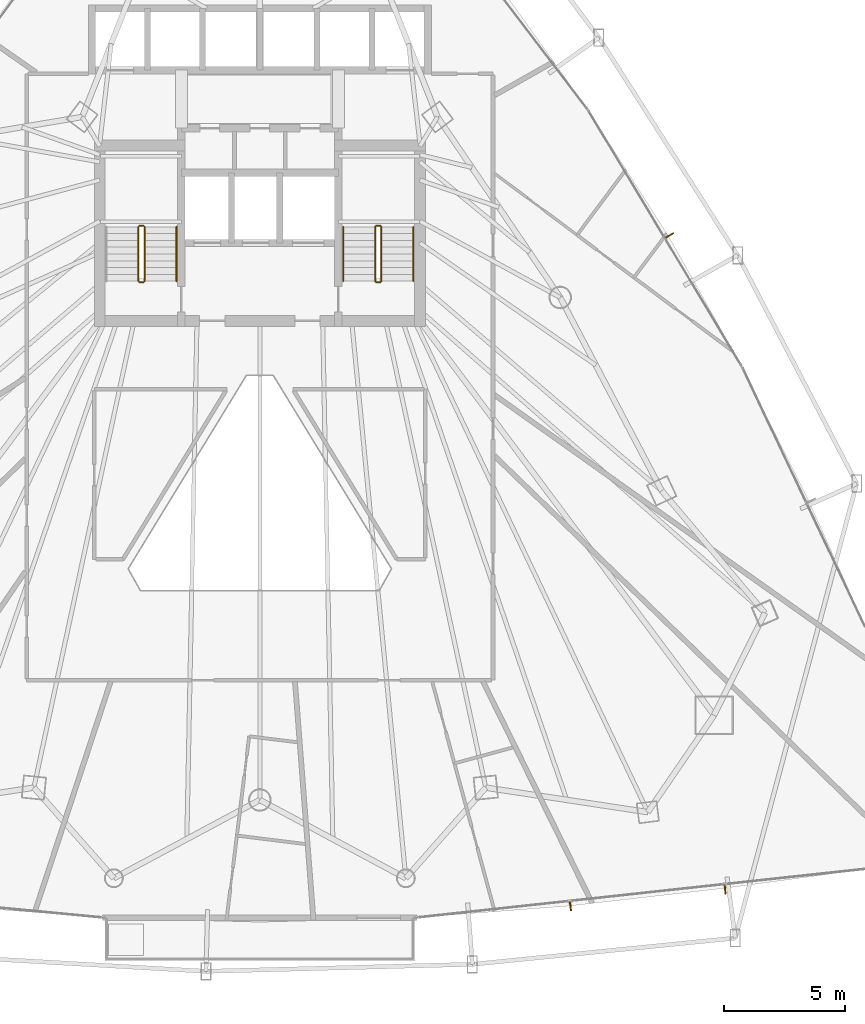
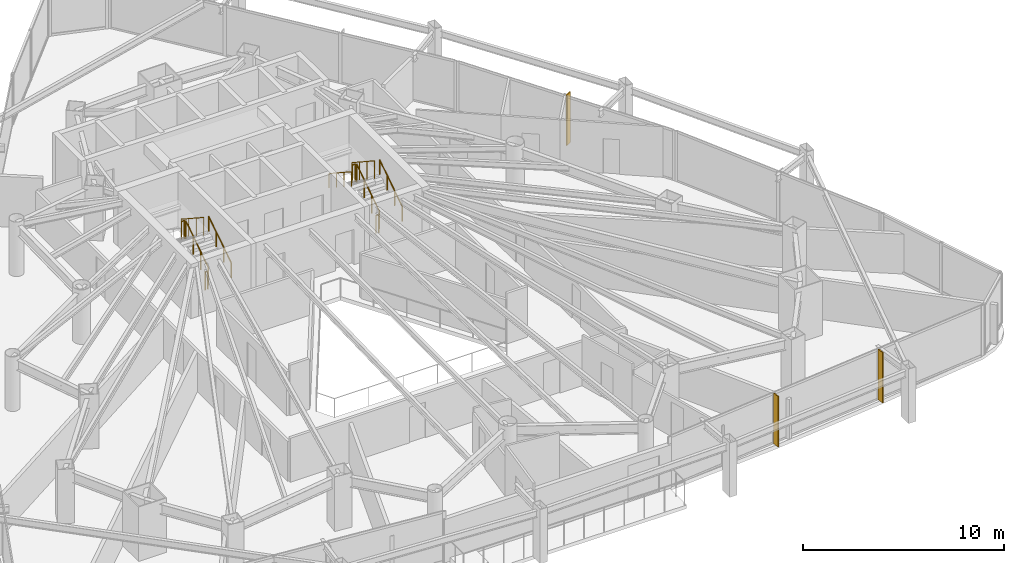
# One storey, part 33 of 34: 11 railings, 3 shading devices.
"""IFC4 building model written with IfcOpenShell, lengths in metres."""

import ifcopenshell
import ifcopenshell.guid

model = None  # the IFC model being written
_history = None  # IfcOwnerHistory: only IFC2X3 demands one
_inside = {}  # id of a spatial element -> (the spatial element, [elements in it])
_under = {}  # id of a project, library or spatial element -> (it, [spatial elements below it])
_declared = {}  # id of a project -> (the project, [libraries it declares])
_typed = {}  # id of a type object -> (the type object, [elements of that type])
_made_of = {}  # id of a material, layer set ... -> (it, [elements and type objects made of it])


def new_model(schema):
    """Start an empty IFC model of exactly this schema.

    Asked for "IFC4X3", IfcOpenShell would pick the latest addendum, in which some entities
    have other attributes; the version numbers below select the first issue.
    IFC2X3 requires an IfcOwnerHistory on every rooted entity: one is made here for all.
    """
    global model, _history
    if schema == "IFC4X3":
        model = ifcopenshell.file(schema_version=(4, 3, 0, 0))
    else:
        model = ifcopenshell.file(schema=schema)
    _inside.clear()
    _under.clear()
    _declared.clear()
    _typed.clear()
    _made_of.clear()
    _history = None
    if model.schema == "IFC2X3":
        org = make("IfcOrganization", Name="unknown")
        user = make(
            "IfcPersonAndOrganization",
            ThePerson=make("IfcPerson", FamilyName="unknown"),
            TheOrganization=org,
        )
        app = make(
            "IfcApplication",
            ApplicationDeveloper=org,
            Version="unknown",
            ApplicationFullName="unknown",
            ApplicationIdentifier="unknown",
        )
        _history = make(
            "IfcOwnerHistory",
            OwningUser=user,
            OwningApplication=app,
            ChangeAction="ADDED",
            CreationDate=0,
        )
    return model


def make(cls, **values):
    """One entity of the class cls with the attributes given. An attribute that is None is left unset."""
    return model.create_entity(
        cls, **{name: value for name, value in values.items() if value is not None}
    )


def rooted(cls, **values):
    """An entity with a GlobalId (a new one), such as an element, a storey or a relation."""
    return make(cls, GlobalId=ifcopenshell.guid.new(), OwnerHistory=_history, **values)


def si_unit(unit_type, name, prefix=None):
    """IfcSIUnit, for example si_unit("LENGTHUNIT", "METRE", prefix="MILLI")."""
    return make("IfcSIUnit", UnitType=unit_type, Prefix=prefix, Name=name)


def assignment(units):
    """IfcUnitAssignment: the units of a project."""
    return None if units is None else make("IfcUnitAssignment", Units=units)


def point(xyz):
    """IfcCartesianPoint."""
    return None if xyz is None else make("IfcCartesianPoint", Coordinates=xyz)


def direction(xyz):
    """IfcDirection."""
    return None if xyz is None else make("IfcDirection", DirectionRatios=xyz)


def frame(location, z_axis=None, x_axis=None):
    """IfcAxis2Placement3D, a coordinate frame: its origin and axes. An axis left out is left unset."""
    return make(
        "IfcAxis2Placement3D",
        Location=point(location),
        Axis=direction(z_axis),
        RefDirection=direction(x_axis),
    )


def frame_2d(location, x_axis=None):
    """IfcAxis2Placement2D, a coordinate frame in the plane: its origin and x axis."""
    return make(
        "IfcAxis2Placement2D", Location=point(location), RefDirection=direction(x_axis)
    )


def origin():
    """The frame at (0, 0, 0) with its axes left unset."""
    return frame((0.0, 0.0, 0.0))


def origin_2d():
    """The frame at (0, 0) in the plane with its x axis left unset."""
    return frame_2d((0.0, 0.0))


def place(relative_to, where):
    """IfcLocalPlacement: puts the frame where relative to a parent placement (None: the world)."""
    return make(
        "IfcLocalPlacement", PlacementRelTo=relative_to, RelativePlacement=where
    )


def context(
    kind, dimensions, precision=None, world=None, true_north=None, identifier=None
):
    """IfcGeometricRepresentationContext, for example the 3D "Model" context."""
    return make(
        "IfcGeometricRepresentationContext",
        ContextIdentifier=identifier,
        ContextType=kind,
        CoordinateSpaceDimension=dimensions,
        Precision=precision,
        WorldCoordinateSystem=world,
        TrueNorth=true_north,
    )


def subcontext(parent, identifier, kind, view, scale=None):
    """IfcGeometricRepresentationSubContext, for example "Body" below "Model"."""
    return make(
        "IfcGeometricRepresentationSubContext",
        ContextIdentifier=identifier,
        ContextType=kind,
        ParentContext=parent,
        TargetScale=scale,
        TargetView=view,
    )


def project(units=None, contexts=None):
    """IfcProject with its units and contexts."""
    return rooted(
        "IfcProject",
        Name="project",
        RepresentationContexts=contexts,
        UnitsInContext=assignment(units),
    )


def spatial(cls, under=None, at=None, **own):
    """A site, building, storey or space (cls), placed at a placement, below another one or the project."""
    s = rooted(cls, ObjectPlacement=at, **own)
    if under is not None:
        _under.setdefault(under.id(), (under, []))[1].append(s)
    return s


def profile(cls, at=None, kind="AREA", **sizes):
    """A parametric profile (cls). Its sizes go by their IFC names, for example OverallWidth=200.0."""
    return make(cls, ProfileType=kind, Position=at, **sizes)


def rectangle(**sizes):
    """IfcRectangleProfileDef."""
    return profile("IfcRectangleProfileDef", **sizes)


def circle(**sizes):
    """IfcCircleProfileDef."""
    return profile("IfcCircleProfileDef", **sizes)


def extrude(swept, where, along, depth):
    """IfcExtrudedAreaSolid: the profile swept, set in the frame where, extruded along a direction by depth."""
    return make(
        "IfcExtrudedAreaSolid",
        SweptArea=swept,
        Position=where,
        ExtrudedDirection=direction(along),
        Depth=depth,
    )


def shape(context_of_items, identifier, shape_type, items):
    """IfcShapeRepresentation: the items that make up one representation, for example the "Body"."""
    return make(
        "IfcShapeRepresentation",
        ContextOfItems=context_of_items,
        RepresentationIdentifier=identifier,
        RepresentationType=shape_type,
        Items=items,
    )


def material(Name=None, Category=None):
    """IfcMaterial."""
    return make("IfcMaterial", Name=Name, Category=Category)


def layer(
    of_material, thickness, ventilated=None, Name=None, Category=None, Priority=None
):
    """IfcMaterialLayer: one layer of a wall or slab, of a material (None: an air gap)."""
    return make(
        "IfcMaterialLayer",
        Material=of_material,
        LayerThickness=thickness,
        IsVentilated=ventilated,
        Name=Name,
        Category=Category,
        Priority=Priority,
    )


def layer_set(layers, Name=None):
    """IfcMaterialLayerSet."""
    return make("IfcMaterialLayerSet", MaterialLayers=layers, LayerSetName=Name)


def made_of(thing, what):
    """Note that an element or type object is made of a material, layer set ...; save() writes the relation."""
    if what is not None:
        _made_of.setdefault(what.id(), (what, []))[1].append(thing)
    return thing


def type_object(cls, material=None, **own):
    """A type object (cls), such as IfcWallType, which elements share."""
    return made_of(rooted(cls, **own), material)


def element(
    cls,
    number,
    at=None,
    inside=None,
    cuts=None,
    type_object=None,
    material=None,
    context=None,
    identifier="Body",
    shape_type=None,
    held_by="IfcProductDefinitionShape",
    body=None,
    shapes=None,
    **own,
):
    """One element of the class cls, such as IfcWall. Its Tag is "e" and its number.

    at: its placement. inside: the storey or other place that contains it. cuts: it is an
    opening in that element (IfcRelVoidsElement). A single representation is given by context,
    identifier, shape_type and body (its items); several are given by shapes. held_by: the class
    of the entity that holds the representations. save() writes the other relations.
    """
    e = rooted(cls, Tag="e%d" % number, ObjectPlacement=at, **own)
    if body is not None:
        shapes = [shape(context, identifier, shape_type, body)]
    if shapes is not None:
        e.Representation = make(held_by, Representations=shapes)
    if inside is not None:
        _inside.setdefault(inside.id(), (inside, []))[1].append(e)
    if cuts is not None:
        rooted(
            "IfcRelVoidsElement", RelatingBuildingElement=cuts, RelatedOpeningElement=e
        )
    if type_object is not None:
        _typed.setdefault(type_object.id(), (type_object, []))[1].append(e)
    return made_of(e, material)


def aggregate(whole, parts):
    """IfcRelAggregates: a whole, such as a stair, and the parts it consists of."""
    return rooted("IfcRelAggregates", RelatingObject=whole, RelatedObjects=parts)


def save(model, path):
    """Write the relations noted so far, then the file.

    IfcRelAggregates (storeys below a building ...), IfcRelContainedInSpatialStructure (elements
    in a storey), IfcRelDefinesByType, IfcRelAssociatesMaterial and IfcRelDeclares: one each for
    every whole, place, type object, material and project.
    """
    for whole, parts in _under.values():
        aggregate(whole, parts)
    for where, things in _inside.values():
        rooted(
            "IfcRelContainedInSpatialStructure",
            RelatedElements=things,
            RelatingStructure=where,
        )
    for kind, things in _typed.values():
        rooted("IfcRelDefinesByType", RelatedObjects=things, RelatingType=kind)
    for what, things in _made_of.values():
        rooted("IfcRelAssociatesMaterial", RelatedObjects=things, RelatingMaterial=what)
    for by, libraries in _declared.values():
        rooted("IfcRelDeclares", RelatingContext=by, RelatedDefinitions=libraries)
    model.write(path)


model = new_model("IFC4")

# Units and contexts
model_context = context("Model", 3, precision=1e-05, world=origin(), true_north=direction((0.0, 1.0)))
body_context = subcontext(model_context, "Body", "Model", "MODEL_VIEW")
ifc_project = project(units=[si_unit("LENGTHUNIT", "METRE"), si_unit("AREAUNIT", "SQUARE_METRE"), si_unit("VOLUMEUNIT", "CUBIC_METRE"), si_unit("PLANEANGLEUNIT", "RADIAN"), si_unit("MASSUNIT", "GRAM", prefix="KILO")], contexts=[model_context])

# Site, building, storey
site_placement = place(None, origin())
site = spatial("IfcSite", under=ifc_project, at=site_placement, CompositionType="ELEMENT")
building_placement = place(site_placement, origin())
building = spatial("IfcBuilding", under=site, at=building_placement, Name="Orvanel Arch Residences", CompositionType="ELEMENT")
storey_placement = place(building_placement, frame((0.0, 0.0, 67.550048828125)))
storey = spatial("IfcBuildingStorey", under=building, at=storey_placement, Name="L18", CompositionType="ELEMENT", Elevation=67.550048828125)

# Shading devices
ifc_material_1 = material(Name="Bronze-anodised aluminium AA6063-T6", Category="aluminium")
ifc_layer = layer(ifc_material_1, 0.06005859375)
ifc_layer_set = layer_set([ifc_layer], Name="Bronze-anodised aluminium AA6063-T6")
shading_device_type = type_object("IfcShadingDeviceType", Name="FIN-BRZ-380", PredefinedType="USERDEFINED", material=ifc_layer_set)
for number, where, z_axis, x_axis, name in (
    (1, (45.85595703125, 2.446044921875, 0.0), (0.0, 0.0, 1.0), (0.107999355706, -0.994150963972, 0.0), "L18 Anodised Bronze Mullion FIN 01"),
    (2, (52.256103515625, 3.139892578125, 0.0), (0.0, 0.0, 1.0), (0.107999355706, -0.994150963972, 0.0), "L18 Anodised Bronze Mullion FIN 02"),
    (3, (49.9541015625, 30.208984375, 0.0), (0.0, 0.0, 1.0), (0.857167300702, 0.51503807491, 0.0), "L18 Anodised Bronze Mullion FIN 01"),
):
    element("IfcShadingDevice", number, at=place(storey_placement, frame(where, z_axis=z_axis, x_axis=x_axis)), inside=storey, type_object=shading_device_type, Name=name, ObjectType="FIN", PredefinedType="USERDEFINED", context=body_context, shape_type="SweptSolid", body=[
        extrude(rectangle(XDim=0.3798828125, YDim=0.06005859375, at=origin_2d()), origin(), (0.0, 0.0, 1.0), 3.06005859375),
    ])

# Railings
ifc_material_2 = material(Name="Structural steel AS/NZS 1163 C350L0 (Grade 350)", Category="steel")
railing_type_1 = type_object("IfcRailingType", Name="RL-STAIR-GUARD", PredefinedType="GUARDRAIL", material=ifc_material_2)
railing_1_placement = place(storey_placement, frame((28.22998046875, 28.320068359375, 0.183349609375)))
element("IfcRailing", 4, at=railing_1_placement, inside=storey, type_object=railing_type_1, Name="L18 ST-1 stair guard 1", PredefinedType="GUARDRAIL", context=body_context, shape_type="SweptSolid", body=[
    extrude(circle(Radius=0.02392578125, at=origin_2d()), frame((0.0, 0.001220703125, 1.076904296875), z_axis=(0.0, 0.836636935527, 0.547757827979), x_axis=(-1.0, 0.0, 0.0)), (0.0, 0.0, 1.0), 2.67431640625),
    extrude(circle(Radius=0.02099609375, at=origin_2d()), origin(), (0.0, 0.0, 1.0), 1.050048828125),
    extrude(circle(Radius=0.02099609375, at=origin_2d()), frame((0.0, 0.74658203125, 0.48876953125)), (0.0, 0.0, 1.0), 1.050048828125),
    extrude(circle(Radius=0.02099609375, at=origin_2d()), frame((0.0, 1.493408203125, 0.977783203125)), (0.0, 0.0, 1.0), 1.050048828125),
    extrude(circle(Radius=0.02099609375, at=origin_2d()), frame((0.0, 2.239990234375, 1.466552734375)), (0.0, 0.0, 1.0), 1.050048828125),
])
railing_2_placement = place(storey_placement, frame((28.179931640625, 30.610107421875, 1.64990234375)))
element("IfcRailing", 5, at=railing_2_placement, inside=storey, type_object=railing_type_1, Name="L18 ST-1 stair guard 2", PredefinedType="GUARDRAIL", context=body_context, shape_type="SweptSolid", body=[
    extrude(circle(Radius=0.02392578125, at=origin_2d()), frame((-0.00146484375, 0.0, 1.076171875), z_axis=(-1.0, 0.0, 0.0), x_axis=(0.0, -1.0, 0.0)), (0.0, 0.0, 1.0), 0.156982421875),
    extrude(circle(Radius=0.02099609375, at=origin_2d()), origin(), (0.0, 0.0, 1.0), 1.050048828125),
    extrude(circle(Radius=0.02099609375, at=origin_2d()), frame((-0.159912109375, 0.0, 0.0)), (0.0, 0.0, 1.0), 1.050048828125),
])
railing_3_placement = place(storey_placement, frame((27.969970703125, 30.56005859375, 1.833251953125)))
element("IfcRailing", 6, at=railing_3_placement, inside=storey, type_object=railing_type_1, Name="L18 ST-1 stair guard 3", PredefinedType="GUARDRAIL", context=body_context, shape_type="SweptSolid", body=[
    extrude(circle(Radius=0.02392578125, at=origin_2d()), frame((0.0, -0.001220703125, 1.076904296875), z_axis=(0.0, -0.836595146698, 0.547821650285), x_axis=(1.0, 0.0, 0.0)), (0.0, 0.0, 1.0), 2.674560546875),
    extrude(circle(Radius=0.02099609375, at=origin_2d()), origin(), (0.0, 0.0, 1.0), 1.050048828125),
    extrude(circle(Radius=0.02099609375, at=origin_2d()), frame((0.0, -0.74658203125, 0.489013671875)), (0.0, 0.0, 1.0), 1.050048828125),
    extrude(circle(Radius=0.02099609375, at=origin_2d()), frame((0.0, -1.493408203125, 0.977783203125)), (0.0, 0.0, 1.0), 1.050048828125),
    extrude(circle(Radius=0.02099609375, at=origin_2d()), frame((0.0, -2.239990234375, 1.466796875)), (0.0, 0.0, 1.0), 1.050048828125),
])
railing_4_placement = place(storey_placement, frame((28.179931640625, 28.27001953125, 0.0)))
element("IfcRailing", 7, at=railing_4_placement, inside=storey, type_object=railing_type_1, Name="L18 ST-1 stair guard 4", PredefinedType="GUARDRAIL", context=body_context, shape_type="SweptSolid", body=[
    extrude(circle(Radius=0.02392578125, at=origin_2d()), frame((-0.00146484375, 0.0, 1.076171875), z_axis=(-1.0, 0.0, 0.0), x_axis=(0.0, -1.0, 0.0)), (0.0, 0.0, 1.0), 0.156982421875),
    extrude(circle(Radius=0.02099609375, at=origin_2d()), origin(), (0.0, 0.0, 1.0), 1.050048828125),
    extrude(circle(Radius=0.02099609375, at=origin_2d()), frame((-0.159912109375, 0.0, 0.0)), (0.0, 0.0, 1.0), 1.050048828125),
])
railing_5_placement = place(storey_placement, frame((38.030029296875, 28.320068359375, 0.183349609375)))
element("IfcRailing", 8, at=railing_5_placement, inside=storey, type_object=railing_type_1, Name="L18 ST-2 stair guard 1", PredefinedType="GUARDRAIL", context=body_context, shape_type="SweptSolid", body=[
    extrude(circle(Radius=0.02392578125, at=origin_2d()), frame((0.0, 0.001220703125, 1.076904296875), z_axis=(0.0, 0.836636935527, 0.547757827979), x_axis=(-1.0, 0.0, 0.0)), (0.0, 0.0, 1.0), 2.67431640625),
    extrude(circle(Radius=0.02099609375, at=origin_2d()), origin(), (0.0, 0.0, 1.0), 1.050048828125),
    extrude(circle(Radius=0.02099609375, at=origin_2d()), frame((0.0, 0.74658203125, 0.48876953125)), (0.0, 0.0, 1.0), 1.050048828125),
    extrude(circle(Radius=0.02099609375, at=origin_2d()), frame((0.0, 1.493408203125, 0.977783203125)), (0.0, 0.0, 1.0), 1.050048828125),
    extrude(circle(Radius=0.02099609375, at=origin_2d()), frame((0.0, 2.239990234375, 1.466552734375)), (0.0, 0.0, 1.0), 1.050048828125),
])
railing_6_placement = place(storey_placement, frame((37.97998046875, 30.610107421875, 1.64990234375)))
element("IfcRailing", 9, at=railing_6_placement, inside=storey, type_object=railing_type_1, Name="L18 ST-2 stair guard 2", PredefinedType="GUARDRAIL", context=body_context, shape_type="SweptSolid", body=[
    extrude(circle(Radius=0.02392578125, at=origin_2d()), frame((-0.00146484375, 0.0, 1.076171875), z_axis=(-1.0, 0.0, 0.0), x_axis=(0.0, -1.0, 0.0)), (0.0, 0.0, 1.0), 0.156982421875),
    extrude(circle(Radius=0.02099609375, at=origin_2d()), origin(), (0.0, 0.0, 1.0), 1.050048828125),
    extrude(circle(Radius=0.02099609375, at=origin_2d()), frame((-0.159912109375, 0.0, 0.0)), (0.0, 0.0, 1.0), 1.050048828125),
])
railing_7_placement = place(storey_placement, frame((37.77001953125, 30.56005859375, 1.833251953125)))
element("IfcRailing", 10, at=railing_7_placement, inside=storey, type_object=railing_type_1, Name="L18 ST-2 stair guard 3", PredefinedType="GUARDRAIL", context=body_context, shape_type="SweptSolid", body=[
    extrude(circle(Radius=0.02392578125, at=origin_2d()), frame((0.0, -0.001220703125, 1.076904296875), z_axis=(0.0, -0.836595146698, 0.547821650285), x_axis=(1.0, 0.0, 0.0)), (0.0, 0.0, 1.0), 2.674560546875),
    extrude(circle(Radius=0.02099609375, at=origin_2d()), origin(), (0.0, 0.0, 1.0), 1.050048828125),
    extrude(circle(Radius=0.02099609375, at=origin_2d()), frame((0.0, -0.74658203125, 0.489013671875)), (0.0, 0.0, 1.0), 1.050048828125),
    extrude(circle(Radius=0.02099609375, at=origin_2d()), frame((0.0, -1.493408203125, 0.977783203125)), (0.0, 0.0, 1.0), 1.050048828125),
    extrude(circle(Radius=0.02099609375, at=origin_2d()), frame((0.0, -2.239990234375, 1.466796875)), (0.0, 0.0, 1.0), 1.050048828125),
])
railing_8_placement = place(storey_placement, frame((37.97998046875, 28.27001953125, 0.0)))
element("IfcRailing", 11, at=railing_8_placement, inside=storey, type_object=railing_type_1, Name="L18 ST-2 stair guard 4", PredefinedType="GUARDRAIL", context=body_context, shape_type="SweptSolid", body=[
    extrude(circle(Radius=0.02392578125, at=origin_2d()), frame((-0.00146484375, 0.0, 1.076171875), z_axis=(-1.0, 0.0, 0.0), x_axis=(0.0, -1.0, 0.0)), (0.0, 0.0, 1.0), 0.156982421875),
    extrude(circle(Radius=0.02099609375, at=origin_2d()), origin(), (0.0, 0.0, 1.0), 1.050048828125),
    extrude(circle(Radius=0.02099609375, at=origin_2d()), frame((-0.159912109375, 0.0, 0.0)), (0.0, 0.0, 1.0), 1.050048828125),
])
railing_type_2 = type_object("IfcRailingType", Name="RL-STAIR-HAND", PredefinedType="HANDRAIL", material=ifc_material_2)
for number, where, name in (
    (12, (29.550048828125, 28.320068359375, 0.183349609375), "L18 ST-1 stair handrail 1"),
    (13, (39.35009765625, 28.320068359375, 0.183349609375), "L18 ST-2 stair handrail 1"),
):
    element("IfcRailing", number, at=place(storey_placement, frame(where)), inside=storey, type_object=railing_type_2, Name=name, PredefinedType="HANDRAIL", context=body_context, shape_type="SweptSolid", body=[
        extrude(circle(Radius=0.02392578125, at=origin_2d()), frame((0.0, 0.001220703125, 0.876708984375), z_axis=(0.0, 0.836636935527, 0.547757827979), x_axis=(-1.0, 0.0, 0.0)), (0.0, 0.0, 1.0), 2.67431640625),
        extrude(circle(Radius=0.02099609375, at=origin_2d()), origin(), (0.0, 0.0, 1.0), 0.849853515625),
        extrude(circle(Radius=0.02099609375, at=origin_2d()), frame((0.0, 0.74658203125, 0.48876953125)), (0.0, 0.0, 1.0), 0.849853515625),
        extrude(circle(Radius=0.02099609375, at=origin_2d()), frame((0.0, 1.493408203125, 0.977783203125)), (0.0, 0.0, 1.0), 0.849853515625),
        extrude(circle(Radius=0.02099609375, at=origin_2d()), frame((0.0, 2.239990234375, 1.466552734375)), (0.0, 0.0, 1.0), 0.849853515625),
    ])
railing_9_placement = place(storey_placement, frame((36.449951171875, 30.56005859375, 1.833251953125)))
element("IfcRailing", 14, at=railing_9_placement, inside=storey, type_object=railing_type_2, Name="L18 ST-2 stair handrail 2", PredefinedType="HANDRAIL", context=body_context, shape_type="SweptSolid", body=[
    extrude(circle(Radius=0.02392578125, at=origin_2d()), frame((0.0, -0.001220703125, 0.876708984375), z_axis=(0.0, -0.836595146698, 0.547821650285), x_axis=(1.0, 0.0, 0.0)), (0.0, 0.0, 1.0), 2.674560546875),
    extrude(circle(Radius=0.02099609375, at=origin_2d()), origin(), (0.0, 0.0, 1.0), 0.849853515625),
    extrude(circle(Radius=0.02099609375, at=origin_2d()), frame((0.0, -0.74658203125, 0.489013671875)), (0.0, 0.0, 1.0), 0.849853515625),
    extrude(circle(Radius=0.02099609375, at=origin_2d()), frame((0.0, -1.493408203125, 0.977783203125)), (0.0, 0.0, 1.0), 0.849853515625),
    extrude(circle(Radius=0.02099609375, at=origin_2d()), frame((0.0, -2.239990234375, 1.466796875)), (0.0, 0.0, 1.0), 0.849853515625),
])

save(model, "model.ifc")
